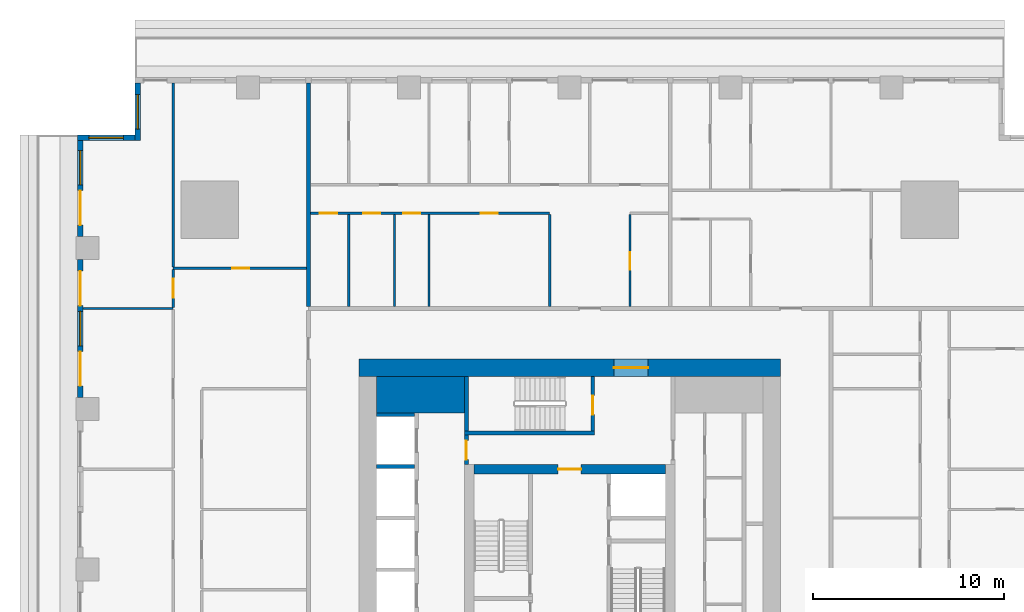
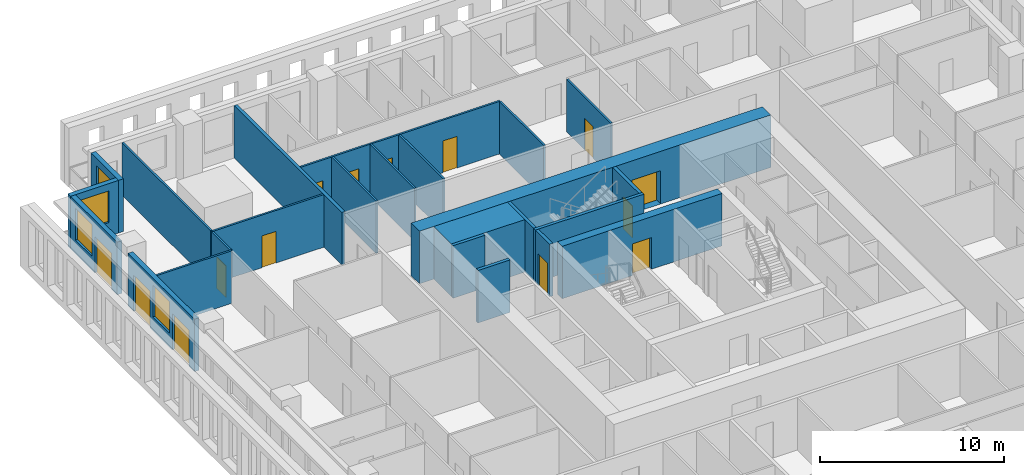
# One storey, part 7 of 15: 24 walls, 14 doors, 4 windows, 18 openings.
"""IFC4 building model written with IfcOpenShell, lengths in metres."""

from ifc_helpers import new_model, si_unit, direction, frame, frame_2d, origin, place, context, subcontext, project, spatial, rectangle, extrude, material, layer, layer_set, type_object, element, fill, save


model = new_model("IFC4")

# Units and contexts
model_context = context("Model", 3, precision=1e-05, world=origin(), true_north=direction((0.0, 1.0)))
body_context = subcontext(model_context, "Body", "Model", "MODEL_VIEW")
ifc_project = project(units=[si_unit("LENGTHUNIT", "METRE"), si_unit("AREAUNIT", "SQUARE_METRE"), si_unit("VOLUMEUNIT", "CUBIC_METRE"), si_unit("PLANEANGLEUNIT", "RADIAN"), si_unit("MASSUNIT", "GRAM", prefix="KILO")], contexts=[model_context])

# Site, building, storey
site_placement = place(None, origin())
site = spatial("IfcSite", under=ifc_project, at=site_placement, CompositionType="ELEMENT")
building_placement = place(site_placement, origin())
building = spatial("IfcBuilding", under=site, at=building_placement, Name="Khepri Terraces", CompositionType="ELEMENT")
storey_placement = place(building_placement, frame((0.0, 0.0, 38.699951171875)))
storey = spatial("IfcBuildingStorey", under=building, at=storey_placement, Name="L08", CompositionType="ELEMENT", Elevation=38.699951171875)

# Walls
ifc_material_1 = material(Name="Concrete C80/95", Category="concrete")
ifc_layer_1 = layer(ifc_material_1, 1.89990234375, Name="Concrete C80/95", Category="concrete")
ifc_layer_set_1 = layer_set([ifc_layer_1], Name="Concrete C80/95")
wall_type_1 = type_object("IfcWallType", Name="Core wall 1900 C80/95", PredefinedType="SHEAR", material=ifc_layer_set_1)
wall_1_placement = place(storey_placement, frame((-10.10009765625, 9.14990234375, 0.0), z_axis=(0.0, 0.0, 1.0), x_axis=(1.0, 0.0, 0.0)))
element("IfcWall", 1, at=wall_1_placement, inside=storey, type_object=wall_type_1, Name="Core wall PR03 L08", PredefinedType="SHEAR", context=body_context, shape_type="SweptSolid", body=[
    extrude(rectangle(XDim=4.60009765625, YDim=1.89990234375, at=frame_2d((2.300048828125, 0.0))), origin(), (0.0, 0.0, 1.0), 3.47998046875),
])
ifc_layer_2 = layer(ifc_material_1, 0.199951171875, Name="Concrete C80/95", Category="concrete")
ifc_layer_set_2 = layer_set([ifc_layer_2], Name="Concrete C80/95")
wall_type_2 = type_object("IfcWallType", Name="Core wall 200 C80/95", PredefinedType="SHEAR", material=ifc_layer_set_2)
wall_2_placement = place(storey_placement, frame((-5.5, 7.14990234375, 0.0), z_axis=(0.0, 0.0, 1.0), x_axis=(1.0, 0.0, 0.0)))
element("IfcWall", 2, at=wall_2_placement, inside=storey, type_object=wall_type_2, Name="Core wall ST05 L08", PredefinedType="SHEAR", context=body_context, shape_type="SweptSolid", body=[
    extrude(rectangle(XDim=6.800048828125, YDim=0.199951171875, at=frame_2d((3.39990234375, 0.0))), origin(), (0.0, 0.0, 1.0), 3.47998046875),
])
wall_3_placement = place(storey_placement, frame((-5.39990234375, 7.25, 0.0), z_axis=(0.0, 0.0, 1.0), x_axis=(0.0, 1.0, 0.0)))
element("IfcWall", 3, at=wall_3_placement, inside=storey, type_object=wall_type_2, Name="Core wall ST06 L08", PredefinedType="SHEAR", context=body_context, shape_type="SweptSolid", body=[
    extrude(rectangle(XDim=2.85009765625, YDim=0.199951171875, at=frame_2d((1.425048828125, 0.0))), origin(), (0.0, 0.0, 1.0), 3.47998046875),
])

# Wall, opening, door
wall_4_placement = place(storey_placement, frame((1.199951171875, 7.25, 0.0), z_axis=(0.0, 0.0, 1.0), x_axis=(0.0, 1.0, 0.0)))
wall_4 = element("IfcWall", 4, at=wall_4_placement, inside=storey, type_object=wall_type_2, Name="Core wall ST07 L08", PredefinedType="SHEAR", context=body_context, shape_type="SweptSolid", body=[
    extrude(rectangle(XDim=2.85009765625, YDim=0.199951171875, at=frame_2d((1.425048828125, 0.0))), origin(), (0.0, 0.0, 1.0), 3.47998046875),
])
opening_1_placement = place(wall_4_placement, frame((0.85009765625, 0.0, 0.0)))
opening_1 = element("IfcOpeningElement", 5, at=opening_1_placement, cuts=wall_4, Name="Opening L08-C15", PredefinedType="OPENING", context=body_context, shape_type="SweptSolid", body=[
    extrude(rectangle(XDim=1.0, YDim=2.10009765625, at=frame_2d((0.5, 1.050048828125))), frame((0.0, 0.10986328125, 0.0), z_axis=(0.0, -1.0, 0.0), x_axis=(1.0, 0.0, 0.0)), (0.0, 0.0, 1.0), 0.219970703125),
])
ifc_material_2 = material(Name="Painted steel", Category="steel")
door_type_1 = type_object("IfcDoorType", Name="DR-CORE-STAIR-1000", OperationType="NOTDEFINED", PredefinedType="DOOR", material=ifc_material_2)
door_1_placement = place(opening_1_placement, origin())
door_1 = element("IfcDoor", 6, at=door_1_placement, inside=storey, type_object=door_type_1, Name="Stair door L08-C15", OperationType="SINGLE_SWING_LEFT", OverallHeight=2.10009765625, OverallWidth=1.0, PredefinedType="DOOR", context=body_context, shape_type="SweptSolid", body=[
    extrude(rectangle(XDim=1.0, YDim=2.10009765625, at=frame_2d((0.5, 1.050048828125))), frame((0.0, 0.02490234375, 0.0), z_axis=(0.0, -1.0, 0.0), x_axis=(1.0, 0.0, 0.0)), (0.0, 0.0, 1.0), 0.050048828125),
])
fill(opening_1, door_1)

# Walls
for number, where, z_axis, x_axis, name in (
    (7, (-10.10009765625, 5.39990234375, 0.0), (0.0, 0.0, 1.0), (1.0, 0.0, 0.0), "Core wall SH19 L08"),
    (8, (-10.10009765625, 8.10009765625, 0.0), (0.0, 0.0, 1.0), (1.0, 0.0, 0.0), "Core wall SH20 L08"),
):
    element("IfcWall", number, at=place(storey_placement, frame(where, z_axis=z_axis, x_axis=x_axis)), inside=storey, type_object=wall_type_2, Name=name, PredefinedType="SHEAR", context=body_context, shape_type="SweptSolid", body=[
        extrude(rectangle(XDim=2.0, YDim=0.199951171875, at=frame_2d((1.0, 0.0))), origin(), (0.0, 0.0, 1.0), 3.47998046875),
    ])

# Wall, opening, door
ifc_layer_3 = layer(ifc_material_1, 0.5, Name="Concrete C80/95", Category="concrete")
ifc_layer_set_3 = layer_set([ifc_layer_3], Name="Concrete C80/95")
wall_type_3 = type_object("IfcWallType", Name="Core wall 500 C80/95", PredefinedType="SHEAR", material=ifc_layer_set_3)
wall_5_placement = place(storey_placement, frame((-5.0, 5.25, 0.0), z_axis=(0.0, 0.0, 1.0), x_axis=(1.0, 0.0, 0.0)))
wall_5 = element("IfcWall", 9, at=wall_5_placement, inside=storey, type_object=wall_type_3, Name="Core wall BX04 L08", PredefinedType="SHEAR", context=body_context, shape_type="SweptSolid", body=[
    extrude(rectangle(XDim=10.0, YDim=0.5, at=frame_2d((5.0, 0.0))), origin(), (0.0, 0.0, 1.0), 3.47998046875),
])
opening_2_placement = place(wall_5_placement, frame((4.39990234375, 0.0, 0.0)))
opening_2 = element("IfcOpeningElement", 10, at=opening_2_placement, cuts=wall_5, Name="Opening L08-C13", PredefinedType="OPENING", context=body_context, shape_type="SweptSolid", body=[
    extrude(rectangle(XDim=1.199951171875, YDim=2.10009765625, at=frame_2d((0.60009765625, 1.050048828125))), frame((0.0, 0.260009765625, 0.0), z_axis=(0.0, -1.0, 0.0), x_axis=(1.0, 0.0, 0.0)), (0.0, 0.0, 1.0), 0.52001953125),
])
door_type_2 = type_object("IfcDoorType", Name="DR-CORE-FF-LOBBY-1200", OperationType="NOTDEFINED", PredefinedType="DOOR", material=ifc_material_2)
door_2_placement = place(opening_2_placement, frame((1.199951171875, 0.0, 0.0), z_axis=(0.0, 0.0, 1.0), x_axis=(-1.0, 0.0, 0.0)))
door_2 = element("IfcDoor", 11, at=door_2_placement, inside=storey, type_object=door_type_2, Name="Firefighting lobby door L08-C13", OperationType="SINGLE_SWING_LEFT", OverallHeight=2.10009765625, OverallWidth=1.199951171875, PredefinedType="DOOR", context=body_context, shape_type="SweptSolid", body=[
    extrude(rectangle(XDim=1.199951171875, YDim=2.10009765625, at=frame_2d((0.60009765625, 1.050048828125))), frame((0.0, 0.02490234375, 0.0), z_axis=(0.0, -1.0, 0.0), x_axis=(1.0, 0.0, 0.0)), (0.0, 0.0, 1.0), 0.050048828125),
])
fill(opening_2, door_2)

ifc_layer_4 = layer(ifc_material_1, 0.89990234375, Name="Concrete C80/95", Category="concrete")
ifc_layer_set_4 = layer_set([ifc_layer_4], Name="Concrete C80/95")
wall_type_4 = type_object("IfcWallType", Name="Core wall 900 C80/95", PredefinedType="SHEAR", material=ifc_layer_set_4)
wall_6_placement = place(storey_placement, frame((-11.0, 10.550048828125, 0.0), z_axis=(0.0, 0.0, 1.0), x_axis=(1.0, 0.0, 0.0)))
wall_6 = element("IfcWall", 12, at=wall_6_placement, inside=storey, type_object=wall_type_4, Name="Core wall OW-N L08", PredefinedType="SHEAR", context=body_context, shape_type="SweptSolid", body=[
    extrude(rectangle(XDim=22.0, YDim=0.89990234375, at=frame_2d((11.0, 0.0))), origin(), (0.0, 0.0, 1.0), 3.47998046875),
])
opening_3_placement = place(wall_6_placement, frame((13.300048828125, 0.0, 0.0)))
opening_3 = element("IfcOpeningElement", 13, at=opening_3_placement, cuts=wall_6, Name="Opening L08-C20", PredefinedType="OPENING", context=body_context, shape_type="SweptSolid", body=[
    extrude(rectangle(XDim=1.800048828125, YDim=2.199951171875, at=frame_2d((0.89990234375, 1.10009765625))), frame((0.0, 0.4599609375, 0.0), z_axis=(0.0, -1.0, 0.0), x_axis=(1.0, 0.0, 0.0)), (0.0, 0.0, 1.0), 0.919921875),
])
door_type_3 = type_object("IfcDoorType", Name="DR-CORE-ENTRANCE-1800", OperationType="NOTDEFINED", PredefinedType="DOOR", material=ifc_material_2)
door_3_placement = place(opening_3_placement, origin())
door_3 = element("IfcDoor", 14, at=door_3_placement, inside=storey, type_object=door_type_3, Name="Core entrance door pair L08-C20", OperationType="DOUBLE_DOOR_SINGLE_SWING", OverallHeight=2.199951171875, OverallWidth=1.800048828125, PredefinedType="DOOR", context=body_context, shape_type="SweptSolid", body=[
    extrude(rectangle(XDim=1.800048828125, YDim=2.199951171875, at=frame_2d((0.89990234375, 1.10009765625))), frame((0.0, 0.02490234375, 0.0), z_axis=(0.0, -1.0, 0.0), x_axis=(1.0, 0.0, 0.0)), (0.0, 0.0, 1.0), 0.050048828125),
])
fill(opening_3, door_3)

ifc_material_3 = material(Name="Fire-rated gypsum board partition")
ifc_layer_5 = layer(ifc_material_3, 0.199951171875, Name="Fire-rated gypsum board partition")
ifc_layer_set_5 = layer_set([ifc_layer_5], Name="Fire-rated gypsum board partition")
wall_type_5 = type_object("IfcWallType", Name="WL-CORE-PART-200", PredefinedType="PARTITIONING", material=ifc_layer_set_5)
wall_7_placement = place(storey_placement, frame((-5.39990234375, 5.5, 0.0), z_axis=(0.0, 0.0, 1.0), x_axis=(0.0, 1.0, 0.0)))
wall_7 = element("IfcWall", 15, at=wall_7_placement, inside=storey, type_object=wall_type_5, Name="Core partition PT08 L08", PredefinedType="PARTITIONING", context=body_context, shape_type="SweptSolid", body=[
    extrude(rectangle(XDim=1.550048828125, YDim=0.199951171875, at=frame_2d((0.77490234375, 0.0))), origin(), (0.0, 0.0, 1.0), 3.47998046875),
])
opening_4_placement = place(wall_7_placement, frame((0.25, 0.0, 0.0)))
opening_4 = element("IfcOpeningElement", 16, at=opening_4_placement, cuts=wall_7, Name="Opening L08-C16", PredefinedType="OPENING", context=body_context, shape_type="SweptSolid", body=[
    extrude(rectangle(XDim=1.0, YDim=2.10009765625, at=frame_2d((0.5, 1.050048828125))), frame((0.0, 0.10986328125, 0.0), z_axis=(0.0, -1.0, 0.0), x_axis=(1.0, 0.0, 0.0)), (0.0, 0.0, 1.0), 0.219970703125),
])
door_type_4 = type_object("IfcDoorType", Name="DR-CORE-LOBBY-1000", OperationType="NOTDEFINED", PredefinedType="DOOR", material=ifc_material_2)
door_4_placement = place(opening_4_placement, frame((1.0, 0.0, 0.0), z_axis=(0.0, 0.0, 1.0), x_axis=(-1.0, 0.0, 0.0)))
door_4 = element("IfcDoor", 17, at=door_4_placement, inside=storey, type_object=door_type_4, Name="Lobby door L08-C16", OperationType="SINGLE_SWING_RIGHT", OverallHeight=2.10009765625, OverallWidth=1.0, PredefinedType="DOOR", context=body_context, shape_type="SweptSolid", body=[
    extrude(rectangle(XDim=1.0, YDim=2.10009765625, at=frame_2d((0.5, 1.050048828125))), frame((0.0, 0.02490234375, 0.0), z_axis=(0.0, -1.0, 0.0), x_axis=(1.0, 0.0, 0.0)), (0.0, 0.0, 1.0), 0.050048828125),
])
fill(opening_4, door_4)

# Wall
ifc_material_4 = material(Name="Fire-rated gypsum plasterboard partition, mineral wool")
ifc_layer_6 = layer(ifc_material_4, 0.199951171875, Name="Fire-rated gypsum plasterboard partition, mineral wool")
ifc_layer_set_6 = layer_set([ifc_layer_6], Name="Fire-rated gypsum plasterboard partition, mineral wool")
wall_type_6 = type_object("IfcWallType", Name="WL-CORR-200", PredefinedType="PARTITIONING", material=ifc_layer_set_6)
wall_8_placement = place(storey_placement, frame((-13.64990234375, 13.75, 0.0), z_axis=(0.0, 0.0, 1.0), x_axis=(0.0, 1.0, 0.0)))
element("IfcWall", 18, at=wall_8_placement, inside=storey, type_object=wall_type_6, Name="Partition P-076 L08", PredefinedType="PARTITIONING", context=body_context, shape_type="SweptSolid", body=[
    extrude(rectangle(XDim=11.669921875, YDim=0.199951171875, at=frame_2d((5.8349609375, 0.0))), origin(), (0.0, 0.0, 1.0), 3.47998046875),
])

# Wall, opening, window
ifc_material_5 = material(Name="Precast concrete C50/60 warm stone", Category="masonry")
ifc_layer_7 = layer(ifc_material_5, 0.300048828125, Name="Precast concrete C50/60 warm stone", Category="masonry")
ifc_layer_set_7 = layer_set([ifc_layer_7], Name="Precast concrete C50/60 warm stone")
wall_type_7 = type_object("IfcWallType", Name="WL-EXT-PRECAST-300", PredefinedType="STANDARD", material=ifc_layer_set_7)
wall_9_placement = place(storey_placement, frame((-22.570068359375, 25.419921875, 0.0), z_axis=(0.0, 0.0, 1.0), x_axis=(0.0, -1.0, 0.0)))
wall_9 = element("IfcWall", 19, at=wall_9_placement, inside=storey, type_object=wall_type_7, Name="External wall L08 W", PredefinedType="STANDARD", context=body_context, shape_type="SweptSolid", body=[
    extrude(rectangle(XDim=3.0, YDim=0.300048828125, at=frame_2d((1.5, 0.0))), origin(), (0.0, 0.0, 1.0), 3.47998046875),
])
opening_5_placement = place(wall_9_placement, frame((0.60009765625, 0.0, 0.89990234375)))
opening_5 = element("IfcOpeningElement", 20, at=opening_5_placement, cuts=wall_9, Name="Opening W1", PredefinedType="OPENING", context=body_context, shape_type="SweptSolid", body=[
    extrude(rectangle(XDim=1.800048828125, YDim=2.10009765625, at=frame_2d((0.89990234375, 1.050048828125))), frame((0.0, 0.16015625, 0.0), z_axis=(0.0, -1.0, 0.0), x_axis=(1.0, 0.0, 0.0)), (0.0, 0.0, 1.0), 0.320068359375),
])
ifc_material_6 = material(Name="Clear glass", Category="glass")
window_type = type_object("IfcWindowType", Name="WIN-RES-1800x2100", PartitioningType="SINGLE_PANEL", PredefinedType="WINDOW", material=ifc_material_6)
window_1_placement = place(opening_5_placement, origin())
window_1 = element("IfcWindow", 21, at=window_1_placement, inside=storey, type_object=window_type, Name="Window L08 W", OverallHeight=2.10009765625, OverallWidth=1.800048828125, PartitioningType="SINGLE_PANEL", PredefinedType="WINDOW", context=body_context, shape_type="SweptSolid", body=[
    extrude(rectangle(XDim=1.800048828125, YDim=2.10009765625, at=frame_2d((0.89990234375, 1.050048828125))), frame((0.0, 0.030029296875, 0.0), z_axis=(0.0, -1.0, 0.0), x_axis=(1.0, 0.0, 0.0)), (0.0, 0.0, 1.0), 0.06005859375),
])
fill(opening_5, window_1)

wall_10_placement = place(storey_placement, frame((-22.719970703125, 22.570068359375, 0.0), z_axis=(0.0, 0.0, 1.0), x_axis=(-1.0, 0.0, 0.0)))
wall_10 = element("IfcWall", 22, at=wall_10_placement, inside=storey, type_object=wall_type_7, Name="External wall L08 N", PredefinedType="STANDARD", context=body_context, shape_type="SweptSolid", body=[
    extrude(rectangle(XDim=3.0, YDim=0.300048828125, at=frame_2d((1.5, 0.0))), origin(), (0.0, 0.0, 1.0), 3.47998046875),
])
opening_6_placement = place(wall_10_placement, frame((0.60009765625, 0.0, 0.89990234375)))
opening_6 = element("IfcOpeningElement", 23, at=opening_6_placement, cuts=wall_10, Name="Opening W1", PredefinedType="OPENING", context=body_context, shape_type="SweptSolid", body=[
    extrude(rectangle(XDim=1.800048828125, YDim=2.10009765625, at=frame_2d((0.89990234375, 1.050048828125))), frame((0.0, 0.16015625, 0.0), z_axis=(0.0, -1.0, 0.0), x_axis=(1.0, 0.0, 0.0)), (0.0, 0.0, 1.0), 0.320068359375),
])
window_2_placement = place(opening_6_placement, origin())
window_2 = element("IfcWindow", 24, at=window_2_placement, inside=storey, type_object=window_type, Name="Window L08 N", OverallHeight=2.10009765625, OverallWidth=1.800048828125, PartitioningType="SINGLE_PANEL", PredefinedType="WINDOW", context=body_context, shape_type="SweptSolid", body=[
    extrude(rectangle(XDim=1.800048828125, YDim=2.10009765625, at=frame_2d((0.89990234375, 1.050048828125))), frame((0.0, 0.030029296875, 0.0), z_axis=(0.0, -1.0, 0.0), x_axis=(1.0, 0.0, 0.0)), (0.0, 0.0, 1.0), 0.06005859375),
])
fill(opening_6, window_2)

# Wall, openings, door, window
wall_11_placement = place(storey_placement, frame((-25.570068359375, 22.419921875, 0.0), z_axis=(0.0, 0.0, 1.0), x_axis=(0.0, -1.0, 0.0)))
wall_11 = element("IfcWall", 25, at=wall_11_placement, inside=storey, type_object=wall_type_7, Name="External wall L08 W", PredefinedType="STANDARD", context=body_context, shape_type="SweptSolid", body=[
    extrude(rectangle(XDim=5.02001953125, YDim=0.300048828125, at=frame_2d((2.510009765625, 0.0))), origin(), (0.0, 0.0, 1.0), 3.47998046875),
])
opening_7_placement = place(wall_11_placement, frame((0.52001953125, 0.0, 0.89990234375)))
opening_7 = element("IfcOpeningElement", 26, at=opening_7_placement, cuts=wall_11, Name="Opening W1", PredefinedType="OPENING", context=body_context, shape_type="SweptSolid", body=[
    extrude(rectangle(XDim=1.800048828125, YDim=2.10009765625, at=frame_2d((0.89990234375, 1.050048828125))), frame((0.0, 0.16015625, 0.0), z_axis=(0.0, -1.0, 0.0), x_axis=(1.0, 0.0, 0.0)), (0.0, 0.0, 1.0), 0.320068359375),
])
opening_8_placement = place(wall_11_placement, frame((2.6201171875, 0.0, 0.0)))
opening_8 = element("IfcOpeningElement", 27, at=opening_8_placement, cuts=wall_11, Name="Opening ED-L08-12", PredefinedType="OPENING", context=body_context, shape_type="SweptSolid", body=[
    extrude(rectangle(XDim=1.800048828125, YDim=2.39990234375, at=frame_2d((0.89990234375, 1.199951171875))), frame((0.0, 0.16015625, 0.0), z_axis=(0.0, -1.0, 0.0), x_axis=(1.0, 0.0, 0.0)), (0.0, 0.0, 1.0), 0.320068359375),
])
ifc_material_7 = material(Name="Anodised aluminium bronze glazed door", Category="aluminium")
door_type_5 = type_object("IfcDoorType", Name="DR-BAL-SLIDE-1800x2400", OperationType="NOTDEFINED", PredefinedType="DOOR", material=ifc_material_7)
door_5_placement = place(opening_8_placement, origin())
door_5 = element("IfcDoor", 28, at=door_5_placement, inside=storey, type_object=door_type_5, Name="Balcony door L08 W", OperationType="SLIDING_TO_RIGHT", OverallHeight=2.39990234375, OverallWidth=1.800048828125, PredefinedType="DOOR", context=body_context, shape_type="SweptSolid", body=[
    extrude(rectangle(XDim=1.800048828125, YDim=2.39990234375, at=frame_2d((0.89990234375, 1.199951171875))), frame((0.0, 0.02490234375, 0.0), z_axis=(0.0, -1.0, 0.0), x_axis=(1.0, 0.0, 0.0)), (0.0, 0.0, 1.0), 0.050048828125),
])
fill(opening_8, door_5)
window_3_placement = place(opening_7_placement, origin())
window_3 = element("IfcWindow", 29, at=window_3_placement, inside=storey, type_object=window_type, Name="Window L08 W", OverallHeight=2.10009765625, OverallWidth=1.800048828125, PartitioningType="SINGLE_PANEL", PredefinedType="WINDOW", context=body_context, shape_type="SweptSolid", body=[
    extrude(rectangle(XDim=1.800048828125, YDim=2.10009765625, at=frame_2d((0.89990234375, 1.050048828125))), frame((0.0, 0.030029296875, 0.0), z_axis=(0.0, -1.0, 0.0), x_axis=(1.0, 0.0, 0.0)), (0.0, 0.0, 1.0), 0.06005859375),
])
fill(opening_7, window_3)

# Wall, openings, doors, window
wall_12_placement = place(storey_placement, frame((-25.570068359375, 16.199951171875, 0.0), z_axis=(0.0, 0.0, 1.0), x_axis=(0.0, -1.0, 0.0)))
wall_12 = element("IfcWall", 30, at=wall_12_placement, inside=storey, type_object=wall_type_7, Name="External wall L08 W", PredefinedType="STANDARD", context=body_context, shape_type="SweptSolid", body=[
    extrude(rectangle(XDim=7.199951171875, YDim=0.300048828125, at=frame_2d((3.60009765625, 0.0))), origin(), (0.0, 0.0, 1.0), 3.47998046875),
])
opening_9_placement = place(wall_12_placement, frame((0.60009765625, 0.0, 0.0)))
opening_9 = element("IfcOpeningElement", 31, at=opening_9_placement, cuts=wall_12, Name="Opening ED-L08-13", PredefinedType="OPENING", context=body_context, shape_type="SweptSolid", body=[
    extrude(rectangle(XDim=1.800048828125, YDim=2.39990234375, at=frame_2d((0.89990234375, 1.199951171875))), frame((0.0, 0.16015625, 0.0), z_axis=(0.0, -1.0, 0.0), x_axis=(1.0, 0.0, 0.0)), (0.0, 0.0, 1.0), 0.320068359375),
])
opening_10_placement = place(wall_12_placement, frame((2.699951171875, 0.0, 0.89990234375)))
opening_10 = element("IfcOpeningElement", 32, at=opening_10_placement, cuts=wall_12, Name="Opening W1", PredefinedType="OPENING", context=body_context, shape_type="SweptSolid", body=[
    extrude(rectangle(XDim=1.800048828125, YDim=2.10009765625, at=frame_2d((0.89990234375, 1.050048828125))), frame((0.0, 0.16015625, 0.0), z_axis=(0.0, -1.0, 0.0), x_axis=(1.0, 0.0, 0.0)), (0.0, 0.0, 1.0), 0.320068359375),
])
opening_11_placement = place(wall_12_placement, frame((4.800048828125, 0.0, 0.0)))
opening_11 = element("IfcOpeningElement", 33, at=opening_11_placement, cuts=wall_12, Name="Opening ED-L08-14", PredefinedType="OPENING", context=body_context, shape_type="SweptSolid", body=[
    extrude(rectangle(XDim=1.800048828125, YDim=2.39990234375, at=frame_2d((0.89990234375, 1.199951171875))), frame((0.0, 0.16015625, 0.0), z_axis=(0.0, -1.0, 0.0), x_axis=(1.0, 0.0, 0.0)), (0.0, 0.0, 1.0), 0.320068359375),
])
door_6_placement = place(opening_9_placement, origin())
door_6 = element("IfcDoor", 34, at=door_6_placement, inside=storey, type_object=door_type_5, Name="Balcony door L08 W", OperationType="SLIDING_TO_LEFT", OverallHeight=2.39990234375, OverallWidth=1.800048828125, PredefinedType="DOOR", context=body_context, shape_type="SweptSolid", body=[
    extrude(rectangle(XDim=1.800048828125, YDim=2.39990234375, at=frame_2d((0.89990234375, 1.199951171875))), frame((0.0, 0.02490234375, 0.0), z_axis=(0.0, -1.0, 0.0), x_axis=(1.0, 0.0, 0.0)), (0.0, 0.0, 1.0), 0.050048828125),
])
fill(opening_9, door_6)
door_7_placement = place(opening_11_placement, origin())
door_7 = element("IfcDoor", 35, at=door_7_placement, inside=storey, type_object=door_type_5, Name="Balcony door L08 W", OperationType="SLIDING_TO_RIGHT", OverallHeight=2.39990234375, OverallWidth=1.800048828125, PredefinedType="DOOR", context=body_context, shape_type="SweptSolid", body=[
    extrude(rectangle(XDim=1.800048828125, YDim=2.39990234375, at=frame_2d((0.89990234375, 1.199951171875))), frame((0.0, 0.02490234375, 0.0), z_axis=(0.0, -1.0, 0.0), x_axis=(1.0, 0.0, 0.0)), (0.0, 0.0, 1.0), 0.050048828125),
])
fill(opening_11, door_7)
window_4_placement = place(opening_10_placement, origin())
window_4 = element("IfcWindow", 36, at=window_4_placement, inside=storey, type_object=window_type, Name="Window L08 W", OverallHeight=2.10009765625, OverallWidth=1.800048828125, PartitioningType="SINGLE_PANEL", PredefinedType="WINDOW", context=body_context, shape_type="SweptSolid", body=[
    extrude(rectangle(XDim=1.800048828125, YDim=2.10009765625, at=frame_2d((0.89990234375, 1.050048828125))), frame((0.0, 0.030029296875, 0.0), z_axis=(0.0, -1.0, 0.0), x_axis=(1.0, 0.0, 0.0)), (0.0, 0.0, 1.0), 0.06005859375),
])
fill(opening_10, window_4)

# Wall
ifc_material_8 = material(Name="Gypsum plasterboard partition")
ifc_layer_8 = layer(ifc_material_8, 0.1201171875, Name="Gypsum plasterboard partition")
ifc_layer_set_8 = layer_set([ifc_layer_8], Name="Gypsum plasterboard partition")
wall_type_8 = type_object("IfcWallType", Name="WL-PART-120", PredefinedType="PARTITIONING", material=ifc_layer_set_8)
wall_13_placement = place(storey_placement, frame((-25.419921875, 13.64990234375, 0.0), z_axis=(0.0, 0.0, 1.0), x_axis=(1.0, 0.0, 0.0)))
element("IfcWall", 37, at=wall_13_placement, inside=storey, type_object=wall_type_8, Name="Partition P-073 L08", PredefinedType="PARTITIONING", context=body_context, shape_type="SweptSolid", body=[
    extrude(rectangle(XDim=4.699951171875, YDim=0.1201171875, at=frame_2d((2.35009765625, 0.0))), origin(), (0.0, 0.0, 1.0), 3.47998046875),
])

# Wall, opening, door
wall_14_placement = place(storey_placement, frame((-20.719970703125, 13.7099609375, 0.0), z_axis=(0.0, 0.0, 1.0), x_axis=(0.0, 1.0, 0.0)))
wall_14 = element("IfcWall", 38, at=wall_14_placement, inside=storey, type_object=wall_type_8, Name="Partition P-075 L08", PredefinedType="PARTITIONING", context=body_context, shape_type="SweptSolid", body=[
    extrude(rectangle(XDim=1.97998046875, YDim=0.1201171875, at=frame_2d((0.989990234375, 0.0))), origin(), (0.0, 0.0, 1.0), 3.47998046875),
])
opening_12_placement = place(wall_14_placement, frame((0.489990234375, 0.0, 0.0)))
opening_12 = element("IfcOpeningElement", 39, at=opening_12_placement, cuts=wall_14, Name="Opening D2", PredefinedType="OPENING", context=body_context, shape_type="SweptSolid", body=[
    extrude(rectangle(XDim=1.0, YDim=2.10009765625, at=frame_2d((0.5, 1.050048828125))), frame((0.0, 0.070068359375, 0.0), z_axis=(0.0, -1.0, 0.0), x_axis=(1.0, 0.0, 0.0)), (0.0, 0.0, 1.0), 0.14013671875),
])
ifc_material_9 = material(Name="Timber door leaf, living room door", Category="wood")
door_type_6 = type_object("IfcDoorType", Name="DR-INT-1000", OperationType="NOTDEFINED", PredefinedType="DOOR", material=ifc_material_9)
door_8_placement = place(opening_12_placement, origin())
door_8 = element("IfcDoor", 40, at=door_8_placement, inside=storey, type_object=door_type_6, Name="Door Living Room", OperationType="SINGLE_SWING_LEFT", OverallHeight=2.10009765625, OverallWidth=1.0, PredefinedType="DOOR", context=body_context, shape_type="SweptSolid", body=[
    extrude(rectangle(XDim=1.0, YDim=2.10009765625, at=frame_2d((0.5, 1.050048828125))), frame((0.0, 0.02490234375, 0.0), z_axis=(0.0, -1.0, 0.0), x_axis=(1.0, 0.0, 0.0)), (0.0, 0.0, 1.0), 0.050048828125),
])
fill(opening_12, door_8)

# Walls
for number, where, z_axis, x_axis, name in (
    (41, (-11.550048828125, 13.75, 0.0), (0.0, 0.0, 1.0), (0.0, 1.0, 0.0), "Partition P-077 L08"),
    (42, (-9.14990234375, 13.75, 0.0), (0.0, 0.0, 1.0), (0.0, 1.0, 0.0), "Partition P-078 L08"),
    (43, (-7.35009765625, 13.75, 0.0), (0.0, 0.0, 1.0), (0.0, 1.0, 0.0), "Partition P-079 L08"),
    (44, (-1.050048828125, 13.75, 0.0), (0.0, 0.0, 1.0), (0.0, 1.0, 0.0), "Partition P-080 L08"),
):
    element("IfcWall", number, at=place(storey_placement, frame(where, z_axis=z_axis, x_axis=x_axis)), inside=storey, type_object=wall_type_8, Name=name, PredefinedType="PARTITIONING", context=body_context, shape_type="SweptSolid", body=[
        extrude(rectangle(XDim=4.81005859375, YDim=0.1201171875, at=frame_2d((2.405029296875, 0.0))), origin(), (0.0, 0.0, 1.0), 3.47998046875),
    ])

# Wall, opening, door
wall_15_placement = place(storey_placement, frame((3.14990234375, 13.75, 0.0), z_axis=(0.0, 0.0, 1.0), x_axis=(0.0, 1.0, 0.0)))
wall_15 = element("IfcWall", 45, at=wall_15_placement, inside=storey, type_object=wall_type_8, Name="Partition P-081 L08", PredefinedType="PARTITIONING", context=body_context, shape_type="SweptSolid", body=[
    extrude(rectangle(XDim=4.81005859375, YDim=0.1201171875, at=frame_2d((2.405029296875, 0.0))), origin(), (0.0, 0.0, 1.0), 3.47998046875),
])
opening_13_placement = place(wall_15_placement, frame((1.93505859375, 0.0, 0.0)))
opening_13 = element("IfcOpeningElement", 46, at=opening_13_placement, cuts=wall_15, Name="Opening D3", PredefinedType="OPENING", context=body_context, shape_type="SweptSolid", body=[
    extrude(rectangle(XDim=0.89990234375, YDim=2.10009765625, at=frame_2d((0.449951171875, 1.050048828125))), frame((0.0, 0.070068359375, 0.0), z_axis=(0.0, -1.0, 0.0), x_axis=(1.0, 0.0, 0.0)), (0.0, 0.0, 1.0), 0.14013671875),
])
ifc_material_10 = material(Name="Timber door leaf", Category="wood")
door_type_7 = type_object("IfcDoorType", Name="DR-INT-900", OperationType="NOTDEFINED", PredefinedType="DOOR", material=ifc_material_10)
door_9_placement = place(opening_13_placement, frame((0.89990234375, 0.0, 0.0), z_axis=(0.0, 0.0, 1.0), x_axis=(-1.0, 0.0, 0.0)))
door_9 = element("IfcDoor", 47, at=door_9_placement, inside=storey, type_object=door_type_7, Name="Door Utility Room", OperationType="SINGLE_SWING_RIGHT", OverallHeight=2.10009765625, OverallWidth=0.89990234375, PredefinedType="DOOR", context=body_context, shape_type="SweptSolid", body=[
    extrude(rectangle(XDim=0.89990234375, YDim=2.10009765625, at=frame_2d((0.449951171875, 1.050048828125))), frame((0.0, 0.02490234375, 0.0), z_axis=(0.0, -1.0, 0.0), x_axis=(1.0, 0.0, 0.0)), (0.0, 0.0, 1.0), 0.050048828125),
])
fill(opening_13, door_9)

wall_16_placement = place(storey_placement, frame((-20.719970703125, 15.75, 0.0), z_axis=(0.0, 0.0, 1.0), x_axis=(1.0, 0.0, 0.0)))
wall_16 = element("IfcWall", 48, at=wall_16_placement, inside=storey, type_object=wall_type_8, Name="Partition P-086 L08", PredefinedType="PARTITIONING", context=body_context, shape_type="SweptSolid", body=[
    extrude(rectangle(XDim=6.969970703125, YDim=0.1201171875, at=frame_2d((3.48486328125, 0.0))), origin(), (0.0, 0.0, 1.0), 3.47998046875),
])
opening_14_placement = place(wall_16_placement, frame((3.0849609375, 0.0, 0.0)))
opening_14 = element("IfcOpeningElement", 49, at=opening_14_placement, cuts=wall_16, Name="Opening D3", PredefinedType="OPENING", context=body_context, shape_type="SweptSolid", body=[
    extrude(rectangle(XDim=0.89990234375, YDim=2.10009765625, at=frame_2d((0.449951171875, 1.050048828125))), frame((0.0, 0.070068359375, 0.0), z_axis=(0.0, -1.0, 0.0), x_axis=(1.0, 0.0, 0.0)), (0.0, 0.0, 1.0), 0.14013671875),
])
door_10_placement = place(opening_14_placement, origin())
door_10 = element("IfcDoor", 50, at=door_10_placement, inside=storey, type_object=door_type_7, Name="Door Home Gym", OperationType="SINGLE_SWING_RIGHT", OverallHeight=2.10009765625, OverallWidth=0.89990234375, PredefinedType="DOOR", context=body_context, shape_type="SweptSolid", body=[
    extrude(rectangle(XDim=0.89990234375, YDim=2.10009765625, at=frame_2d((0.449951171875, 1.050048828125))), frame((0.0, 0.02490234375, 0.0), z_axis=(0.0, -1.0, 0.0), x_axis=(1.0, 0.0, 0.0)), (0.0, 0.0, 1.0), 0.050048828125),
])
fill(opening_14, door_10)

# Wall
wall_17_placement = place(storey_placement, frame((-20.719970703125, 15.81005859375, 0.0), z_axis=(0.0, 0.0, 1.0), x_axis=(0.0, 1.0, 0.0)))
element("IfcWall", 51, at=wall_17_placement, inside=storey, type_object=wall_type_8, Name="Partition P-087 L08", PredefinedType="PARTITIONING", context=body_context, shape_type="SweptSolid", body=[
    extrude(rectangle(XDim=9.60986328125, YDim=0.1201171875, at=frame_2d((4.804931640625, 0.0))), origin(), (0.0, 0.0, 1.0), 3.47998046875),
])

# Wall, openings, doors
wall_18_placement = place(storey_placement, frame((-13.550048828125, 18.6201171875, 0.0), z_axis=(0.0, 0.0, 1.0), x_axis=(1.0, 0.0, 0.0)))
wall_18 = element("IfcWall", 52, at=wall_18_placement, inside=storey, type_object=wall_type_8, Name="Partition P-089 L08", PredefinedType="PARTITIONING", context=body_context, shape_type="SweptSolid", body=[
    extrude(rectangle(XDim=12.5, YDim=0.1201171875, at=frame_2d((6.25, 0.0))), origin(), (0.0, 0.0, 1.0), 3.47998046875),
])
opening_15_placement = place(wall_18_placement, frame((8.89990234375, 0.0, 0.0)))
opening_15 = element("IfcOpeningElement", 53, at=opening_15_placement, cuts=wall_18, Name="Opening D3", PredefinedType="OPENING", context=body_context, shape_type="SweptSolid", body=[
    extrude(rectangle(XDim=0.89990234375, YDim=2.10009765625, at=frame_2d((0.449951171875, 1.050048828125))), frame((0.0, 0.070068359375, 0.0), z_axis=(0.0, -1.0, 0.0), x_axis=(1.0, 0.0, 0.0)), (0.0, 0.0, 1.0), 0.14013671875),
])
opening_16_placement = place(wall_18_placement, frame((4.85009765625, 0.0, 0.0)))
opening_16 = element("IfcOpeningElement", 54, at=opening_16_placement, cuts=wall_18, Name="Opening D4", PredefinedType="OPENING", context=body_context, shape_type="SweptSolid", body=[
    extrude(rectangle(XDim=0.89990234375, YDim=2.10009765625, at=frame_2d((0.449951171875, 1.050048828125))), frame((0.0, 0.070068359375, 0.0), z_axis=(0.0, -1.0, 0.0), x_axis=(1.0, 0.0, 0.0)), (0.0, 0.0, 1.0), 0.14013671875),
])
opening_17_placement = place(wall_18_placement, frame((2.75, 0.0, 0.0)))
opening_17 = element("IfcOpeningElement", 55, at=opening_17_placement, cuts=wall_18, Name="Opening D4", PredefinedType="OPENING", context=body_context, shape_type="SweptSolid", body=[
    extrude(rectangle(XDim=0.89990234375, YDim=2.10009765625, at=frame_2d((0.449951171875, 1.050048828125))), frame((0.0, 0.070068359375, 0.0), z_axis=(0.0, -1.0, 0.0), x_axis=(1.0, 0.0, 0.0)), (0.0, 0.0, 1.0), 0.14013671875),
])
opening_18_placement = place(wall_18_placement, frame((0.5, 0.0, 0.0)))
opening_18 = element("IfcOpeningElement", 56, at=opening_18_placement, cuts=wall_18, Name="Opening D3", PredefinedType="OPENING", context=body_context, shape_type="SweptSolid", body=[
    extrude(rectangle(XDim=0.89990234375, YDim=2.10009765625, at=frame_2d((0.449951171875, 1.050048828125))), frame((0.0, 0.070068359375, 0.0), z_axis=(0.0, -1.0, 0.0), x_axis=(1.0, 0.0, 0.0)), (0.0, 0.0, 1.0), 0.14013671875),
])
door_11_placement = place(opening_15_placement, frame((0.89990234375, 0.0, 0.0), z_axis=(0.0, 0.0, 1.0), x_axis=(-1.0, 0.0, 0.0)))
door_11 = element("IfcDoor", 57, at=door_11_placement, inside=storey, type_object=door_type_7, Name="Door Kitchen", OperationType="SINGLE_SWING_LEFT", OverallHeight=2.10009765625, OverallWidth=0.89990234375, PredefinedType="DOOR", context=body_context, shape_type="SweptSolid", body=[
    extrude(rectangle(XDim=0.89990234375, YDim=2.10009765625, at=frame_2d((0.449951171875, 1.050048828125))), frame((0.0, 0.02490234375, 0.0), z_axis=(0.0, -1.0, 0.0), x_axis=(1.0, 0.0, 0.0)), (0.0, 0.0, 1.0), 0.050048828125),
])
fill(opening_15, door_11)
door_12_placement = place(opening_18_placement, frame((0.89990234375, 0.0, 0.0), z_axis=(0.0, 0.0, 1.0), x_axis=(-1.0, 0.0, 0.0)))
door_12 = element("IfcDoor", 58, at=door_12_placement, inside=storey, type_object=door_type_7, Name="Door Utility Room", OperationType="SINGLE_SWING_RIGHT", OverallHeight=2.10009765625, OverallWidth=0.89990234375, PredefinedType="DOOR", context=body_context, shape_type="SweptSolid", body=[
    extrude(rectangle(XDim=0.89990234375, YDim=2.10009765625, at=frame_2d((0.449951171875, 1.050048828125))), frame((0.0, 0.02490234375, 0.0), z_axis=(0.0, -1.0, 0.0), x_axis=(1.0, 0.0, 0.0)), (0.0, 0.0, 1.0), 0.050048828125),
])
fill(opening_18, door_12)
ifc_material_11 = material(Name="Timber door leaf, moisture resistant", Category="wood")
door_type_8 = type_object("IfcDoorType", Name="DR-WET-900", OperationType="NOTDEFINED", PredefinedType="DOOR", material=ifc_material_11)
door_13_placement = place(opening_16_placement, frame((0.89990234375, 0.0, 0.0), z_axis=(0.0, 0.0, 1.0), x_axis=(-1.0, 0.0, 0.0)))
door_13 = element("IfcDoor", 59, at=door_13_placement, inside=storey, type_object=door_type_8, Name="Door Powder Room", OperationType="SINGLE_SWING_RIGHT", OverallHeight=2.10009765625, OverallWidth=0.89990234375, PredefinedType="DOOR", context=body_context, shape_type="SweptSolid", body=[
    extrude(rectangle(XDim=0.89990234375, YDim=2.10009765625, at=frame_2d((0.449951171875, 1.050048828125))), frame((0.0, 0.02490234375, 0.0), z_axis=(0.0, -1.0, 0.0), x_axis=(1.0, 0.0, 0.0)), (0.0, 0.0, 1.0), 0.050048828125),
])
fill(opening_16, door_13)
door_14_placement = place(opening_17_placement, frame((0.89990234375, 0.0, 0.0), z_axis=(0.0, 0.0, 1.0), x_axis=(-1.0, 0.0, 0.0)))
door_14 = element("IfcDoor", 60, at=door_14_placement, inside=storey, type_object=door_type_8, Name="Door Guest Bathroom", OperationType="SINGLE_SWING_RIGHT", OverallHeight=2.10009765625, OverallWidth=0.89990234375, PredefinedType="DOOR", context=body_context, shape_type="SweptSolid", body=[
    extrude(rectangle(XDim=0.89990234375, YDim=2.10009765625, at=frame_2d((0.449951171875, 1.050048828125))), frame((0.0, 0.02490234375, 0.0), z_axis=(0.0, -1.0, 0.0), x_axis=(1.0, 0.0, 0.0)), (0.0, 0.0, 1.0), 0.050048828125),
])
fill(opening_17, door_14)

save(model, "model.ifc")
